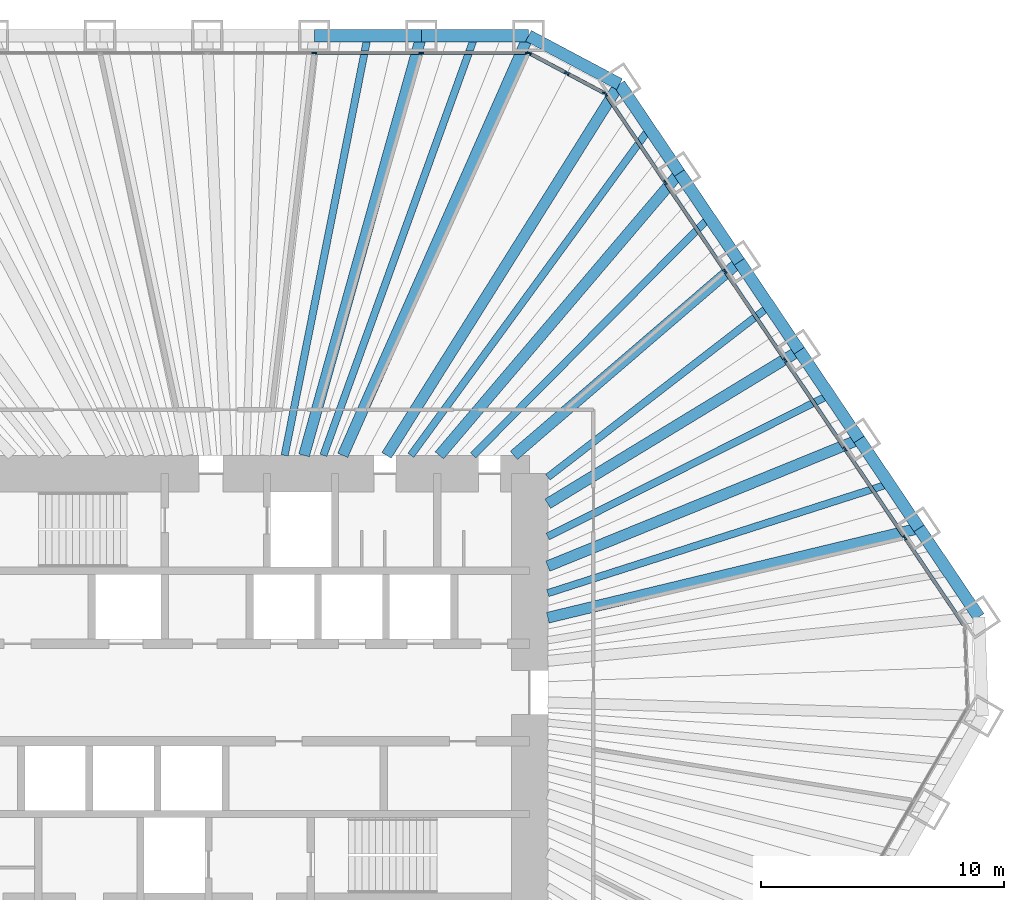
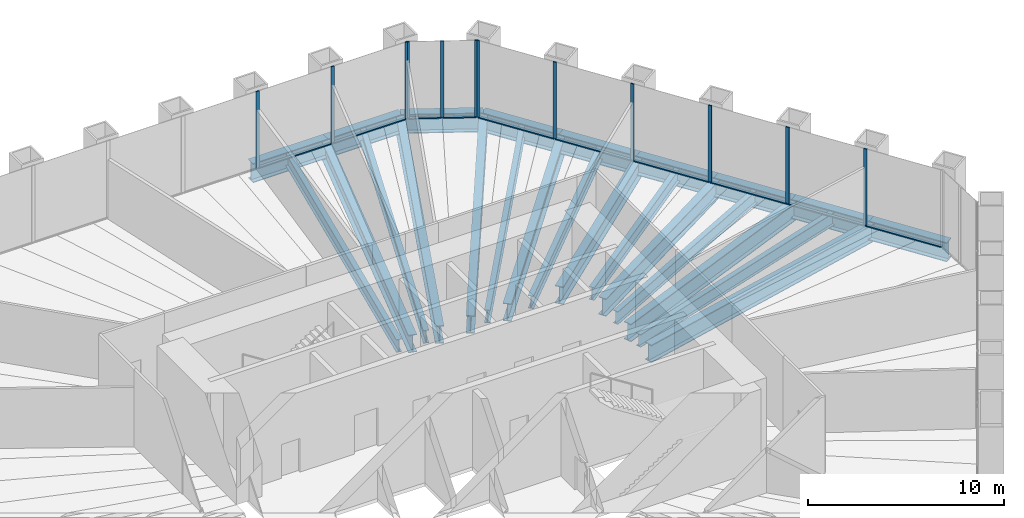
# One storey, part 7 of 13: 24 beams, 22 members, 3 elements without a shape of their own.
"""IFC4 building model written with IfcOpenShell, lengths in metres."""

from ifc_helpers import new_model, si_unit, direction, frame, origin, origin_2d, place, context, subcontext, project, spatial, rectangle, i_section, extrude, material, material_profile, profile_set, type_object, element, aggregate, save


model = new_model("IFC4")

# Units and contexts
model_context = context("Model", 3, precision=1e-05, world=origin(), true_north=direction((0.0, 1.0)))
body_context = subcontext(model_context, "Body", "Model", "MODEL_VIEW")
ifc_project = project(units=[si_unit("LENGTHUNIT", "METRE"), si_unit("AREAUNIT", "SQUARE_METRE"), si_unit("VOLUMEUNIT", "CUBIC_METRE"), si_unit("PLANEANGLEUNIT", "RADIAN"), si_unit("MASSUNIT", "GRAM", prefix="KILO")], contexts=[model_context])

# Site, building, storey
site_placement = place(None, origin())
site = spatial("IfcSite", under=ifc_project, at=site_placement, CompositionType="ELEMENT")
building_placement = place(site_placement, origin())
building = spatial("IfcBuilding", under=site, at=building_placement, Name="Qingtian Harvest Tower", CompositionType="ELEMENT")
storey_placement = place(building_placement, frame((0.0, 0.0, 72.0)))
storey = spatial("IfcBuildingStorey", under=building, at=storey_placement, Name="L14", CompositionType="ELEMENT", Elevation=72.0)

# Beams
ifc_material_1 = material(Name="Steel SM570MC", Category="steel")
ifc_material_profile_1 = material_profile(ifc_material_1, i_section(OverallWidth=0.449951171875, OverallDepth=1.10009765625, WebThickness=0.02197265625, FlangeThickness=0.044921875, at=origin_2d()), Name="H1100x450x22x45")
ifc_profile_set_1 = profile_set([ifc_material_profile_1], Name="Steel SM570MC")
beam_type_1 = type_object("IfcBeamType", Name="Corner floor beam FB8 H1100x450x22x45", PredefinedType="BEAM", material=ifc_profile_set_1)
beam_1_placement = place(storey_placement, frame((11.9560546875, 27.0, -0.75), z_axis=(-0.404898955654, -0.914361436036, 0.0), x_axis=(0.914361436036, -0.404898955654, 0.0)))
element("IfcBeam", 1, at=beam_1_placement, inside=storey, type_object=beam_type_1, Name="Floor beam FB8 N6", PredefinedType="BEAM", context=body_context, shape_type="SweptSolid", body=[
    extrude(i_section(OverallWidth=0.449951171875, OverallDepth=1.10009765625, WebThickness=0.02197265625, FlangeThickness=0.044921875, at=origin_2d()), origin(), (0.0, 0.0, 1.0), 18.86572265625),
])
beam_2_placement = place(storey_placement, frame((15.6982421875, 25.01025390625, -0.75), z_axis=(-0.531622796942, -0.846981228701, 0.0), x_axis=(0.846981228701, -0.531622796942, 0.0)))
element("IfcBeam", 2, at=beam_2_placement, inside=storey, type_object=beam_type_1, Name="Floor beam FB8 NE0", PredefinedType="BEAM", context=body_context, shape_type="SweptSolid", body=[
    extrude(i_section(OverallWidth=0.449951171875, OverallDepth=1.10009765625, WebThickness=0.02197265625, FlangeThickness=0.044921875, at=origin_2d()), origin(), (0.0, 0.0, 1.0), 18.017333984375),
])
ifc_material_2 = material(Name="Steel SM570MC", Category="steel")
ifc_material_profile_2 = material_profile(ifc_material_2, i_section(OverallWidth=0.449951171875, OverallDepth=1.10009765625, WebThickness=0.02197265625, FlangeThickness=0.044921875, at=origin_2d()), Name="H1100x450x22x45")
ifc_profile_set_2 = profile_set([ifc_material_profile_2], Name="Steel SM570MC")
beam_type_2 = type_object("IfcBeamType", Name="Floor beam FB1 H1100x450x22x45", PredefinedType="BEAM", material=ifc_profile_set_2)
beam_3_placement = place(storey_placement, frame((7.551513671875, 27.0, -0.75), z_axis=(-0.269343258019, -0.963044240604, 0.0), x_axis=(0.963044240604, -0.269343258019, 0.0)))
element("IfcBeam", 3, at=beam_3_placement, inside=storey, type_object=beam_type_2, Name="Floor beam FB1 N5", PredefinedType="BEAM", context=body_context, shape_type="SweptSolid", body=[
    extrude(i_section(OverallWidth=0.449951171875, OverallDepth=1.10009765625, WebThickness=0.02197265625, FlangeThickness=0.044921875, at=origin_2d()), origin(), (0.0, 0.0, 1.0), 17.911865234375),
])
beam_4_placement = place(storey_placement, frame((18.1611328125, 21.358642578125, -0.75), z_axis=(-0.647781887327, -0.761825850474, 0.0), x_axis=(0.761825850474, -0.647781887327, 0.0)))
element("IfcBeam", 4, at=beam_4_placement, inside=storey, type_object=beam_type_2, Name="Floor beam FB1 NE1", PredefinedType="BEAM", context=body_context, shape_type="SweptSolid", body=[
    extrude(i_section(OverallWidth=0.449951171875, OverallDepth=1.10009765625, WebThickness=0.02197265625, FlangeThickness=0.044921875, at=origin_2d()), origin(), (0.0, 0.0, 1.0), 15.238037109375),
])
beam_5_placement = place(storey_placement, frame((20.624267578125, 17.70703125, -0.75), z_axis=(-0.75873153072, -0.651403457384, 0.0), x_axis=(0.651403457384, -0.75873153072, 0.0)))
element("IfcBeam", 5, at=beam_5_placement, inside=storey, type_object=beam_type_2, Name="Floor beam FB1 NE2", PredefinedType="BEAM", context=body_context, shape_type="SweptSolid", body=[
    extrude(i_section(OverallWidth=0.449951171875, OverallDepth=1.10009765625, WebThickness=0.02197265625, FlangeThickness=0.044921875, at=origin_2d()), origin(), (0.0, 0.0, 1.0), 12.21533203125),
])
beam_6_placement = place(storey_placement, frame((23.08740234375, 14.0556640625, -0.75), z_axis=(-0.854157261259, -0.520014781558, 0.0), x_axis=(0.520014781558, -0.854157261259, 0.0)))
element("IfcBeam", 6, at=beam_6_placement, inside=storey, type_object=beam_type_2, Name="Floor beam FB1 NE3", PredefinedType="BEAM", context=body_context, shape_type="SweptSolid", body=[
    extrude(i_section(OverallWidth=0.449951171875, OverallDepth=1.10009765625, WebThickness=0.02197265625, FlangeThickness=0.044921875, at=origin_2d()), origin(), (0.0, 0.0, 1.0), 12.1025390625),
])
beam_7_placement = place(storey_placement, frame((25.55029296875, 10.404052734375, -0.75), z_axis=(-0.926156354735, -0.37713977062, 0.0), x_axis=(0.37713977062, -0.926156354735, 0.0)))
element("IfcBeam", 7, at=beam_7_placement, inside=storey, type_object=beam_type_2, Name="Floor beam FB1 NE4", PredefinedType="BEAM", context=body_context, shape_type="SweptSolid", body=[
    extrude(i_section(OverallWidth=0.449951171875, OverallDepth=1.10009765625, WebThickness=0.02197265625, FlangeThickness=0.044921875, at=origin_2d()), origin(), (0.0, 0.0, 1.0), 13.82080078125),
])
beam_8_placement = place(storey_placement, frame((28.013427734375, 6.75244140625, -0.75), z_axis=(-0.972155908389, -0.234334994792, 0.0), x_axis=(0.234334994792, -0.972155908389, 0.0)))
element("IfcBeam", 8, at=beam_8_placement, inside=storey, type_object=beam_type_2, Name="Floor beam FB1 NE5", PredefinedType="BEAM", context=body_context, shape_type="SweptSolid", body=[
    extrude(i_section(OverallWidth=0.449951171875, OverallDepth=1.10009765625, WebThickness=0.02197265625, FlangeThickness=0.044921875, at=origin_2d()), origin(), (0.0, 0.0, 1.0), 15.70068359375),
])
ifc_material_3 = material(Name="Steel SN490B", Category="steel")
ifc_material_profile_3 = material_profile(ifc_material_3, i_section(OverallWidth=0.300048828125, OverallDepth=0.800048828125, WebThickness=0.013916015625, FlangeThickness=0.02587890625, at=origin_2d()), Name="H800x300x14x26")
ifc_profile_set_3 = profile_set([ifc_material_profile_3], Name="Steel SN490B")
beam_type_3 = type_object("IfcBeamType", Name="Floor joist J1 H800x300x14x26", PredefinedType="JOIST", material=ifc_profile_set_3)
beam_9_placement = place(storey_placement, frame((5.349365234375, 27.0, -0.60009765625), z_axis=(-0.19435104803, -0.980932041545, 0.0), x_axis=(0.980932041545, -0.19435104803, 0.0)))
element("IfcBeam", 9, at=beam_9_placement, inside=storey, type_object=beam_type_3, Name="Floor joist J1 N4", PredefinedType="JOIST", context=body_context, shape_type="SweptSolid", body=[
    extrude(i_section(OverallWidth=0.300048828125, OverallDepth=0.800048828125, WebThickness=0.013916015625, FlangeThickness=0.02587890625, at=origin_2d()), origin(), (0.0, 0.0, 1.0), 17.585205078125),
])
beam_10_placement = place(storey_placement, frame((9.75390625, 27.0, -0.60009765625), z_axis=(-0.339766141765, -0.940509951521, 0.0), x_axis=(0.940509951521, -0.339766141765, 0.0)))
element("IfcBeam", 10, at=beam_10_placement, inside=storey, type_object=beam_type_3, Name="Floor joist J1 N5", PredefinedType="JOIST", context=body_context, shape_type="SweptSolid", body=[
    extrude(i_section(OverallWidth=0.300048828125, OverallDepth=0.800048828125, WebThickness=0.013916015625, FlangeThickness=0.02587890625, at=origin_2d()), origin(), (0.0, 0.0, 1.0), 18.341064453125),
])
beam_11_placement = place(storey_placement, frame((16.9296875, 23.1845703125, -0.60009765625), z_axis=(-0.589722175422, -0.80760618857, 0.0), x_axis=(0.80760618857, -0.589722175422, 0.0)))
element("IfcBeam", 11, at=beam_11_placement, inside=storey, type_object=beam_type_3, Name="Floor joist J1 NE0", PredefinedType="JOIST", context=body_context, shape_type="SweptSolid", body=[
    extrude(i_section(OverallWidth=0.300048828125, OverallDepth=0.800048828125, WebThickness=0.013916015625, FlangeThickness=0.02587890625, at=origin_2d()), origin(), (0.0, 0.0, 1.0), 16.635009765625),
])
beam_12_placement = place(storey_placement, frame((19.392822265625, 19.532958984375, -0.60009765625), z_axis=(-0.704560879039, -0.709643549768, 0.0), x_axis=(0.709643549768, -0.704560879039, 0.0)))
element("IfcBeam", 12, at=beam_12_placement, inside=storey, type_object=beam_type_3, Name="Floor joist J1 NE1", PredefinedType="JOIST", context=body_context, shape_type="SweptSolid", body=[
    extrude(i_section(OverallWidth=0.300048828125, OverallDepth=0.800048828125, WebThickness=0.013916015625, FlangeThickness=0.02587890625, at=origin_2d()), origin(), (0.0, 0.0, 1.0), 13.78564453125),
])
beam_13_placement = place(storey_placement, frame((21.855712890625, 15.88134765625, -0.60009765625), z_axis=(-0.79149450594, -0.611176281499, 0.0), x_axis=(0.611176281499, -0.79149450594, 0.0)))
element("IfcBeam", 13, at=beam_13_placement, inside=storey, type_object=beam_type_3, Name="Floor joist J1 NE2", PredefinedType="JOIST", context=body_context, shape_type="SweptSolid", body=[
    extrude(i_section(OverallWidth=0.300048828125, OverallDepth=0.800048828125, WebThickness=0.013916015625, FlangeThickness=0.02587890625, at=origin_2d()), origin(), (0.0, 0.0, 1.0), 11.50439453125),
])
beam_14_placement = place(storey_placement, frame((24.31884765625, 12.229736328125, -0.60009765625), z_axis=(-0.893391632689, -0.449278744924, 0.0), x_axis=(0.449278744924, -0.893391632689, 0.0)))
element("IfcBeam", 14, at=beam_14_placement, inside=storey, type_object=beam_type_3, Name="Floor joist J1 NE3", PredefinedType="JOIST", context=body_context, shape_type="SweptSolid", body=[
    extrude(i_section(OverallWidth=0.300048828125, OverallDepth=0.800048828125, WebThickness=0.013916015625, FlangeThickness=0.02587890625, at=origin_2d()), origin(), (0.0, 0.0, 1.0), 12.949462890625),
])
beam_15_placement = place(storey_placement, frame((26.78173828125, 8.578125, -0.60009765625), z_axis=(-0.952340804978, -0.305036048976, 0.0), x_axis=(0.305036048976, -0.952340804978, 0.0)))
element("IfcBeam", 15, at=beam_15_placement, inside=storey, type_object=beam_type_3, Name="Floor joist J1 NE4", PredefinedType="JOIST", context=body_context, shape_type="SweptSolid", body=[
    extrude(i_section(OverallWidth=0.300048828125, OverallDepth=0.800048828125, WebThickness=0.013916015625, FlangeThickness=0.02587890625, at=origin_2d()), origin(), (0.0, 0.0, 1.0), 14.73388671875),
])

# Curtain wall, members
ifc_material_4 = material(Name="Bronze-anodised aluminium curtain wall", Category="aluminium")
curtain_wall_type = type_object("IfcCurtainWallType", Name="Curtain wall CW2 farm reception", PredefinedType="USERDEFINED", material=ifc_material_4)
curtain_wall_1_placement = place(storey_placement, origin())
curtain_wall_1 = element("IfcCurtainWall", 16, at=curtain_wall_1_placement, inside=storey, type_object=curtain_wall_type, Name="Curtain wall CW2 L14 N0-5", ObjectType="RECESSED CURTAIN WALL", PredefinedType="USERDEFINED")
ifc_material_5 = material(Name="Bronze-anodised aluminium mullion", Category="aluminium")
ifc_material_profile_4 = material_profile(ifc_material_5, rectangle(XDim=0.06494140625, YDim=0.199951171875, at=origin_2d()), Name="AL 65x200")
ifc_profile_set_4 = profile_set([ifc_material_profile_4], Name="Bronze-anodised aluminium mullion")
member_type_1 = type_object("IfcMemberType", Name="Mullion CWM 65x200", PredefinedType="MULLION", material=ifc_profile_set_4)
member_1_placement = place(storey_placement, frame((3.14697265625, 26.300048828125, 0.0), z_axis=(0.0, 0.0, 1.0), x_axis=(0.0, 1.0, 0.0)))
member_1 = element("IfcMember", 17, at=member_1_placement, type_object=member_type_1, Name="CW2 mullion 5", PredefinedType="MULLION", context=body_context, shape_type="SweptSolid", body=[
    extrude(rectangle(XDim=0.06494140625, YDim=0.199951171875, at=origin_2d()), origin(), (0.0, 0.0, 1.0), 4.800048828125),
])
member_2_placement = place(storey_placement, frame((7.551513671875, 26.300048828125, 0.0), z_axis=(0.0, 0.0, 1.0), x_axis=(0.0, 1.0, 0.0)))
member_2 = element("IfcMember", 18, at=member_2_placement, type_object=member_type_1, Name="CW2 mullion 6", PredefinedType="MULLION", context=body_context, shape_type="SweptSolid", body=[
    extrude(rectangle(XDim=0.06494140625, YDim=0.199951171875, at=origin_2d()), origin(), (0.0, 0.0, 1.0), 4.800048828125),
])
member_3_placement = place(storey_placement, frame((11.923583984375, 26.300048828125, 0.0), z_axis=(0.0, 0.0, 1.0), x_axis=(0.0, 1.0, 0.0)))
member_3 = element("IfcMember", 19, at=member_3_placement, type_object=member_type_1, Name="CW2 mullion 7", PredefinedType="MULLION", context=body_context, shape_type="SweptSolid", body=[
    extrude(rectangle(XDim=0.06494140625, YDim=0.199951171875, at=origin_2d()), origin(), (0.0, 0.0, 1.0), 4.800048828125),
])

curtain_wall_2_placement = place(storey_placement, origin())
curtain_wall_2 = element("IfcCurtainWall", 20, at=curtain_wall_2_placement, inside=storey, type_object=curtain_wall_type, Name="Curtain wall CW2 L14 NC", ObjectType="RECESSED CURTAIN WALL", PredefinedType="USERDEFINED")
member_4_placement = place(storey_placement, frame((11.98486328125, 26.28466796875, 0.0), z_axis=(0.0, 0.0, 1.0), x_axis=(0.469471562786, 0.882947592859, 0.0)))
member_4 = element("IfcMember", 21, at=member_4_placement, type_object=member_type_1, Name="CW2 mullion 1", PredefinedType="MULLION", context=body_context, shape_type="SweptSolid", body=[
    extrude(rectangle(XDim=0.06494140625, YDim=0.199951171875, at=origin_2d()), origin(), (0.0, 0.0, 1.0), 4.800048828125),
])
member_5_placement = place(storey_placement, frame((13.537109375, 25.45947265625, 0.0), z_axis=(0.0, 0.0, 1.0), x_axis=(0.469471562786, 0.882947592859, 0.0)))
member_5 = element("IfcMember", 22, at=member_5_placement, type_object=member_type_1, Name="CW2 mullion 2", PredefinedType="MULLION", context=body_context, shape_type="SweptSolid", body=[
    extrude(rectangle(XDim=0.06494140625, YDim=0.199951171875, at=origin_2d()), origin(), (0.0, 0.0, 1.0), 4.800048828125),
])
member_6_placement = place(storey_placement, frame((15.089111328125, 24.634033203125, 0.0), z_axis=(0.0, 0.0, 1.0), x_axis=(0.469471562786, 0.882947592859, 0.0)))
member_6 = element("IfcMember", 23, at=member_6_placement, type_object=member_type_1, Name="CW2 mullion 3", PredefinedType="MULLION", context=body_context, shape_type="SweptSolid", body=[
    extrude(rectangle(XDim=0.06494140625, YDim=0.199951171875, at=origin_2d()), origin(), (0.0, 0.0, 1.0), 4.800048828125),
])

curtain_wall_3_placement = place(storey_placement, origin())
curtain_wall_3 = element("IfcCurtainWall", 24, at=curtain_wall_3_placement, inside=storey, type_object=curtain_wall_type, Name="Curtain wall CW2 L14 NE0-5", ObjectType="RECESSED CURTAIN WALL", PredefinedType="USERDEFINED")
member_7_placement = place(storey_placement, frame((15.135986328125, 24.592041015625, 0.0), z_axis=(0.0, 0.0, 1.0), x_axis=(0.829037572555, 0.559192903471, 0.0)))
member_7 = element("IfcMember", 25, at=member_7_placement, type_object=member_type_1, Name="CW2 mullion 1", PredefinedType="MULLION", context=body_context, shape_type="SweptSolid", body=[
    extrude(rectangle(XDim=0.06494140625, YDim=0.199951171875, at=origin_2d()), origin(), (0.0, 0.0, 1.0), 4.800048828125),
])
member_8_placement = place(storey_placement, frame((17.580810546875, 20.96728515625, 0.0), z_axis=(0.0, 0.0, 1.0), x_axis=(0.829037572555, 0.559192903471, 0.0)))
member_8 = element("IfcMember", 26, at=member_8_placement, type_object=member_type_1, Name="CW2 mullion 2", PredefinedType="MULLION", context=body_context, shape_type="SweptSolid", body=[
    extrude(rectangle(XDim=0.06494140625, YDim=0.199951171875, at=origin_2d()), origin(), (0.0, 0.0, 1.0), 4.800048828125),
])
member_9_placement = place(storey_placement, frame((20.0439453125, 17.315673828125, 0.0), z_axis=(0.0, 0.0, 1.0), x_axis=(0.829037572555, 0.559192903471, 0.0)))
member_9 = element("IfcMember", 27, at=member_9_placement, type_object=member_type_1, Name="CW2 mullion 3", PredefinedType="MULLION", context=body_context, shape_type="SweptSolid", body=[
    extrude(rectangle(XDim=0.06494140625, YDim=0.199951171875, at=origin_2d()), origin(), (0.0, 0.0, 1.0), 4.800048828125),
])
member_10_placement = place(storey_placement, frame((22.507080078125, 13.6640625, 0.0), z_axis=(0.0, 0.0, 1.0), x_axis=(0.829037572555, 0.559192903471, 0.0)))
member_10 = element("IfcMember", 28, at=member_10_placement, type_object=member_type_1, Name="CW2 mullion 4", PredefinedType="MULLION", context=body_context, shape_type="SweptSolid", body=[
    extrude(rectangle(XDim=0.06494140625, YDim=0.199951171875, at=origin_2d()), origin(), (0.0, 0.0, 1.0), 4.800048828125),
])
member_11_placement = place(storey_placement, frame((24.969970703125, 10.012451171875, 0.0), z_axis=(0.0, 0.0, 1.0), x_axis=(0.829037572555, 0.559192903471, 0.0)))
member_11 = element("IfcMember", 29, at=member_11_placement, type_object=member_type_1, Name="CW2 mullion 5", PredefinedType="MULLION", context=body_context, shape_type="SweptSolid", body=[
    extrude(rectangle(XDim=0.06494140625, YDim=0.199951171875, at=origin_2d()), origin(), (0.0, 0.0, 1.0), 4.800048828125),
])
member_12_placement = place(storey_placement, frame((27.43310546875, 6.36083984375, 0.0), z_axis=(0.0, 0.0, 1.0), x_axis=(0.829037572555, 0.559192903471, 0.0)))
member_12 = element("IfcMember", 30, at=member_12_placement, type_object=member_type_1, Name="CW2 mullion 6", PredefinedType="MULLION", context=body_context, shape_type="SweptSolid", body=[
    extrude(rectangle(XDim=0.06494140625, YDim=0.199951171875, at=origin_2d()), origin(), (0.0, 0.0, 1.0), 4.800048828125),
])

# Beams
ifc_material_6 = material(Name="Steel SM570MC", Category="steel")
ifc_material_profile_5 = material_profile(ifc_material_6, i_section(OverallWidth=0.5, OverallDepth=1.199951171875, WebThickness=0.02490234375, FlangeThickness=0.050048828125, at=origin_2d()), Name="H1200x500x25x50")
ifc_profile_set_5 = profile_set([ifc_material_profile_5], Name="Steel SM570MC")
beam_type_4 = type_object("IfcBeamType", Name="Spandrel beam SB1 H1200x500x25x50", PredefinedType="SPANDREL", material=ifc_profile_set_5)
for number, where, z_axis, x_axis, name in (
    (31, (3.14697265625, 27.0, -0.60009765625), (1.0, 0.0, 0.0), (0.0, 1.0, 0.0), "Spandrel SB1 N4"),
    (32, (7.551513671875, 27.0, -0.60009765625), (1.0, 0.0, 0.0), (0.0, 1.0, 0.0), "Spandrel SB1 N5"),
):
    element("IfcBeam", number, at=place(storey_placement, frame(where, z_axis=z_axis, x_axis=x_axis)), inside=storey, type_object=beam_type_4, Name=name, PredefinedType="SPANDREL", context=body_context, shape_type="SweptSolid", body=[
        extrude(i_section(OverallWidth=0.5, OverallDepth=1.199951171875, WebThickness=0.02490234375, FlangeThickness=0.050048828125, at=origin_2d()), origin(), (0.0, 0.0, 1.0), 4.404541015625),
    ])
beam_16_placement = place(storey_placement, frame((11.9560546875, 27.0, -0.60009765625), z_axis=(0.882948599748, -0.469469669099, 0.0), x_axis=(0.469469669099, 0.882948599748, 0.0)))
element("IfcBeam", 33, at=beam_16_placement, inside=storey, type_object=beam_type_4, Name="Spandrel SB1 NC", PredefinedType="SPANDREL", context=body_context, shape_type="SweptSolid", body=[
    extrude(i_section(OverallWidth=0.5, OverallDepth=1.199951171875, WebThickness=0.02490234375, FlangeThickness=0.050048828125, at=origin_2d()), origin(), (0.0, 0.0, 1.0), 4.23828125),
])
beam_17_placement = place(storey_placement, frame((15.6982421875, 25.01025390625, -0.60009765625), z_axis=(0.559169135272, -0.829053603912, 0.0), x_axis=(0.829053603912, 0.559169135272, 0.0)))
element("IfcBeam", 34, at=beam_17_placement, inside=storey, type_object=beam_type_4, Name="Spandrel SB1 NE0", PredefinedType="SPANDREL", context=body_context, shape_type="SweptSolid", body=[
    extrude(i_section(OverallWidth=0.5, OverallDepth=1.199951171875, WebThickness=0.02490234375, FlangeThickness=0.050048828125, at=origin_2d()), origin(), (0.0, 0.0, 1.0), 4.404541015625),
])
beam_18_placement = place(storey_placement, frame((18.1611328125, 21.358642578125, -0.60009765625), z_axis=(0.559207231603, -0.829027907928, 0.0), x_axis=(0.829027907928, 0.559207231603, 0.0)))
element("IfcBeam", 35, at=beam_18_placement, inside=storey, type_object=beam_type_4, Name="Spandrel SB1 NE1", PredefinedType="SPANDREL", context=body_context, shape_type="SweptSolid", body=[
    extrude(i_section(OverallWidth=0.5, OverallDepth=1.199951171875, WebThickness=0.02490234375, FlangeThickness=0.050048828125, at=origin_2d()), origin(), (0.0, 0.0, 1.0), 4.40478515625),
])
for number, where, z_axis, x_axis, name in (
    (36, (20.624267578125, 17.70703125, -0.60009765625), (0.559232928578, -0.829010573874, 0.0), (0.829010573874, 0.559232928578, 0.0), "Spandrel SB1 NE2"),
    (37, (23.08740234375, 14.0556640625, -0.60009765625), (0.559169135272, -0.829053603912, 0.0), (0.829053603912, 0.559169135272, 0.0), "Spandrel SB1 NE3"),
):
    element("IfcBeam", number, at=place(storey_placement, frame(where, z_axis=z_axis, x_axis=x_axis)), inside=storey, type_object=beam_type_4, Name=name, PredefinedType="SPANDREL", context=body_context, shape_type="SweptSolid", body=[
        extrude(i_section(OverallWidth=0.5, OverallDepth=1.199951171875, WebThickness=0.02490234375, FlangeThickness=0.050048828125, at=origin_2d()), origin(), (0.0, 0.0, 1.0), 4.404541015625),
    ])
beam_19_placement = place(storey_placement, frame((25.55029296875, 10.404052734375, -0.60009765625), z_axis=(0.559207231603, -0.829027907928, 0.0), x_axis=(0.829027907928, 0.559207231603, 0.0)))
element("IfcBeam", 38, at=beam_19_placement, inside=storey, type_object=beam_type_4, Name="Spandrel SB1 NE4", PredefinedType="SPANDREL", context=body_context, shape_type="SweptSolid", body=[
    extrude(i_section(OverallWidth=0.5, OverallDepth=1.199951171875, WebThickness=0.02490234375, FlangeThickness=0.050048828125, at=origin_2d()), origin(), (0.0, 0.0, 1.0), 4.40478515625),
])
beam_20_placement = place(storey_placement, frame((28.013427734375, 6.75244140625, -0.60009765625), z_axis=(0.559169135272, -0.829053603912, 0.0), x_axis=(0.829053603912, 0.559169135272, 0.0)))
element("IfcBeam", 39, at=beam_20_placement, inside=storey, type_object=beam_type_4, Name="Spandrel SB1 NE5", PredefinedType="SPANDREL", context=body_context, shape_type="SweptSolid", body=[
    extrude(i_section(OverallWidth=0.5, OverallDepth=1.199951171875, WebThickness=0.02490234375, FlangeThickness=0.050048828125, at=origin_2d()), origin(), (0.0, 0.0, 1.0), 4.404541015625),
])

# Member
ifc_material_7 = material(Name="Bronze-anodised aluminium transom", Category="aluminium")
ifc_material_profile_6 = material_profile(ifc_material_7, rectangle(XDim=0.14990234375, YDim=0.06494140625, at=origin_2d()), Name="AL 65x150")
ifc_profile_set_6 = profile_set([ifc_material_profile_6], Name="Bronze-anodised aluminium transom")
member_type_2 = type_object("IfcMemberType", Name="Transom CWT 65x150", PredefinedType="USERDEFINED", material=ifc_profile_set_6)
member_13_placement = place(storey_placement, frame((3.179443359375, 26.300048828125, 0.032470703125), z_axis=(1.0, 0.0, 0.0), x_axis=(0.0, 1.0, 0.0)))
member_13 = element("IfcMember", 40, at=member_13_placement, type_object=member_type_2, Name="CW2 transom 5.1", ObjectType="TRANSOM", PredefinedType="USERDEFINED", context=body_context, shape_type="SweptSolid", body=[
    extrude(rectangle(XDim=0.14990234375, YDim=0.06494140625, at=origin_2d()), origin(), (0.0, 0.0, 1.0), 4.339599609375),
])

member_14_placement = place(storey_placement, frame((7.583984375, 26.300048828125, 0.032470703125), z_axis=(1.0, 0.0, 0.0), x_axis=(0.0, 1.0, 0.0)))
member_14 = element("IfcMember", 41, at=member_14_placement, type_object=member_type_2, Name="CW2 transom 6.1", ObjectType="TRANSOM", PredefinedType="USERDEFINED", context=body_context, shape_type="SweptSolid", body=[
    extrude(rectangle(XDim=0.14990234375, YDim=0.06494140625, at=origin_2d()), origin(), (0.0, 0.0, 1.0), 4.30712890625),
])

aggregate(curtain_wall_1, [member_1, member_2, member_3, member_13, member_14])

member_15_placement = place(storey_placement, frame((12.013427734375, 26.26953125, 0.032470703125), z_axis=(0.882927080927, -0.469510138086, 0.0), x_axis=(0.469510138086, 0.882927080927, 0.0)))
member_15 = element("IfcMember", 42, at=member_15_placement, type_object=member_type_2, Name="CW2 transom 1.1", ObjectType="TRANSOM", PredefinedType="USERDEFINED", context=body_context, shape_type="SweptSolid", body=[
    extrude(rectangle(XDim=0.14990234375, YDim=0.06494140625, at=origin_2d()), origin(), (0.0, 0.0, 1.0), 1.693115234375),
])

member_16_placement = place(storey_placement, frame((13.565673828125, 25.444091796875, 0.032470703125), z_axis=(0.882986854304, -0.469397715297, 0.0), x_axis=(0.469397715297, 0.882986854304, 0.0)))
member_16 = element("IfcMember", 43, at=member_16_placement, type_object=member_type_2, Name="CW2 transom 2.1", ObjectType="TRANSOM", PredefinedType="USERDEFINED", context=body_context, shape_type="SweptSolid", body=[
    extrude(rectangle(XDim=0.14990234375, YDim=0.06494140625, at=origin_2d()), origin(), (0.0, 0.0, 1.0), 1.69287109375),
])

aggregate(curtain_wall_2, [member_4, member_5, member_6, member_15, member_16])

member_17_placement = place(storey_placement, frame((15.154296875, 24.56494140625, 0.032470703125), z_axis=(0.559178817275, -0.82904707364, 0.0), x_axis=(0.82904707364, 0.559178817275, 0.0)))
member_17 = element("IfcMember", 44, at=member_17_placement, type_object=member_type_2, Name="CW2 transom 1.1", ObjectType="TRANSOM", PredefinedType="USERDEFINED", context=body_context, shape_type="SweptSolid", body=[
    extrude(rectangle(XDim=0.14990234375, YDim=0.06494140625, at=origin_2d()), origin(), (0.0, 0.0, 1.0), 4.30712890625),
])

member_18_placement = place(storey_placement, frame((17.59912109375, 20.9404296875, 0.032470703125), z_axis=(0.559210013199, -0.82902603164, 0.0), x_axis=(0.82902603164, 0.559210013199, 0.0)))
member_18 = element("IfcMember", 45, at=member_18_placement, type_object=member_type_2, Name="CW2 transom 2.1", ObjectType="TRANSOM", PredefinedType="USERDEFINED", context=body_context, shape_type="SweptSolid", body=[
    extrude(rectangle(XDim=0.14990234375, YDim=0.06494140625, at=origin_2d()), origin(), (0.0, 0.0, 1.0), 4.339599609375),
])

member_19_placement = place(storey_placement, frame((20.06201171875, 17.288818359375, 0.032470703125), z_axis=(0.559210013199, -0.82902603164, 0.0), x_axis=(0.82902603164, 0.559210013199, 0.0)))
member_19 = element("IfcMember", 46, at=member_19_placement, type_object=member_type_2, Name="CW2 transom 3.1", ObjectType="TRANSOM", PredefinedType="USERDEFINED", context=body_context, shape_type="SweptSolid", body=[
    extrude(rectangle(XDim=0.14990234375, YDim=0.06494140625, at=origin_2d()), origin(), (0.0, 0.0, 1.0), 4.339599609375),
])

member_20_placement = place(storey_placement, frame((22.525146484375, 13.63720703125, 0.032470703125), z_axis=(0.559210013199, -0.82902603164, 0.0), x_axis=(0.82902603164, 0.559210013199, 0.0)))
member_20 = element("IfcMember", 47, at=member_20_placement, type_object=member_type_2, Name="CW2 transom 4.1", ObjectType="TRANSOM", PredefinedType="USERDEFINED", context=body_context, shape_type="SweptSolid", body=[
    extrude(rectangle(XDim=0.14990234375, YDim=0.06494140625, at=origin_2d()), origin(), (0.0, 0.0, 1.0), 4.339599609375),
])

member_21_placement = place(storey_placement, frame((24.98828125, 9.985595703125, 0.032470703125), z_axis=(0.559171345763, -0.829052113005, 0.0), x_axis=(0.829052113005, 0.559171345763, 0.0)))
member_21 = element("IfcMember", 48, at=member_21_placement, type_object=member_type_2, Name="CW2 transom 5.1", ObjectType="TRANSOM", PredefinedType="USERDEFINED", context=body_context, shape_type="SweptSolid", body=[
    extrude(rectangle(XDim=0.14990234375, YDim=0.06494140625, at=origin_2d()), origin(), (0.0, 0.0, 1.0), 4.339599609375),
])

member_22_placement = place(storey_placement, frame((27.451171875, 6.333984375, 0.032470703125), z_axis=(0.559178817275, -0.82904707364, 0.0), x_axis=(0.82904707364, 0.559178817275, 0.0)))
member_22 = element("IfcMember", 49, at=member_22_placement, type_object=member_type_2, Name="CW2 transom 6.1", ObjectType="TRANSOM", PredefinedType="USERDEFINED", context=body_context, shape_type="SweptSolid", body=[
    extrude(rectangle(XDim=0.14990234375, YDim=0.06494140625, at=origin_2d()), origin(), (0.0, 0.0, 1.0), 4.30712890625),
])

aggregate(curtain_wall_3, [member_7, member_8, member_9, member_10, member_11, member_12, member_17, member_18, member_19, member_20, member_21, member_22])

save(model, "model.ifc")
